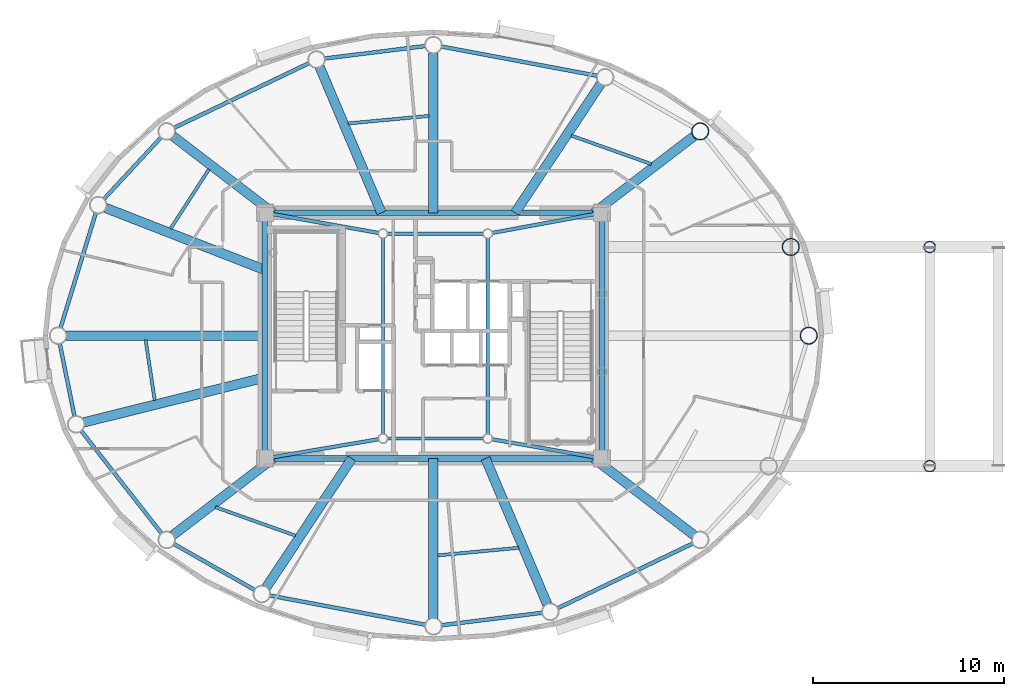
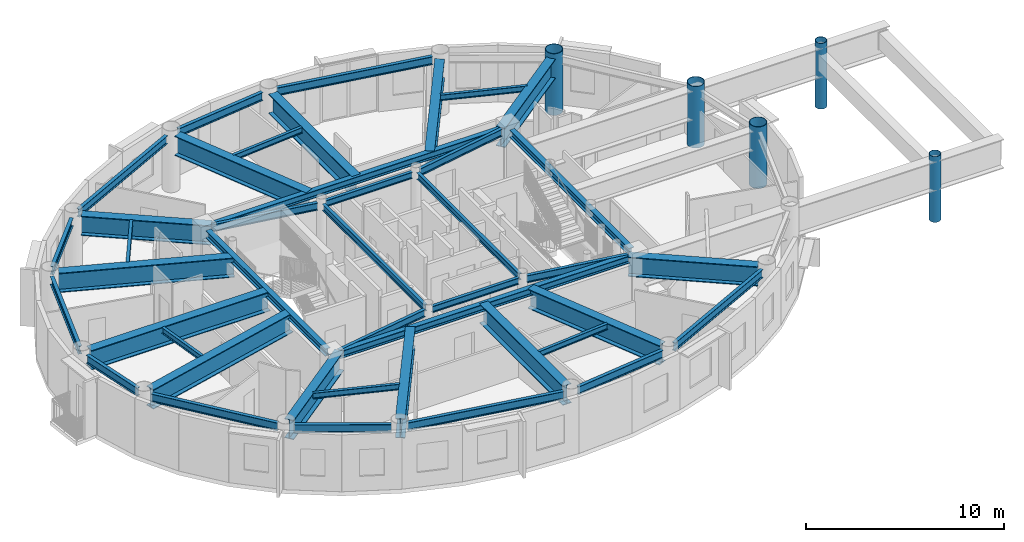
# One storey, part 2 of 16: 42 beams, 5 columns.
"""IFC4 building model written with IfcOpenShell, lengths in metres."""

import ifcopenshell
import ifcopenshell.guid

model = None  # the IFC model being written
_history = None  # IfcOwnerHistory: only IFC2X3 demands one
_inside = {}  # id of a spatial element -> (the spatial element, [elements in it])
_under = {}  # id of a project, library or spatial element -> (it, [spatial elements below it])
_declared = {}  # id of a project -> (the project, [libraries it declares])
_typed = {}  # id of a type object -> (the type object, [elements of that type])
_made_of = {}  # id of a material, layer set ... -> (it, [elements and type objects made of it])


def new_model(schema):
    """Start an empty IFC model of exactly this schema.

    Asked for "IFC4X3", IfcOpenShell would pick the latest addendum, in which some entities
    have other attributes; the version numbers below select the first issue.
    IFC2X3 requires an IfcOwnerHistory on every rooted entity: one is made here for all.
    """
    global model, _history
    if schema == "IFC4X3":
        model = ifcopenshell.file(schema_version=(4, 3, 0, 0))
    else:
        model = ifcopenshell.file(schema=schema)
    _inside.clear()
    _under.clear()
    _declared.clear()
    _typed.clear()
    _made_of.clear()
    _history = None
    if model.schema == "IFC2X3":
        org = make("IfcOrganization", Name="unknown")
        user = make(
            "IfcPersonAndOrganization",
            ThePerson=make("IfcPerson", FamilyName="unknown"),
            TheOrganization=org,
        )
        app = make(
            "IfcApplication",
            ApplicationDeveloper=org,
            Version="unknown",
            ApplicationFullName="unknown",
            ApplicationIdentifier="unknown",
        )
        _history = make(
            "IfcOwnerHistory",
            OwningUser=user,
            OwningApplication=app,
            ChangeAction="ADDED",
            CreationDate=0,
        )
    return model


def make(cls, **values):
    """One entity of the class cls with the attributes given. An attribute that is None is left unset."""
    return model.create_entity(
        cls, **{name: value for name, value in values.items() if value is not None}
    )


def rooted(cls, **values):
    """An entity with a GlobalId (a new one), such as an element, a storey or a relation."""
    return make(cls, GlobalId=ifcopenshell.guid.new(), OwnerHistory=_history, **values)


def si_unit(unit_type, name, prefix=None):
    """IfcSIUnit, for example si_unit("LENGTHUNIT", "METRE", prefix="MILLI")."""
    return make("IfcSIUnit", UnitType=unit_type, Prefix=prefix, Name=name)


def assignment(units):
    """IfcUnitAssignment: the units of a project."""
    return None if units is None else make("IfcUnitAssignment", Units=units)


def point(xyz):
    """IfcCartesianPoint."""
    return None if xyz is None else make("IfcCartesianPoint", Coordinates=xyz)


def direction(xyz):
    """IfcDirection."""
    return None if xyz is None else make("IfcDirection", DirectionRatios=xyz)


def frame(location, z_axis=None, x_axis=None):
    """IfcAxis2Placement3D, a coordinate frame: its origin and axes. An axis left out is left unset."""
    return make(
        "IfcAxis2Placement3D",
        Location=point(location),
        Axis=direction(z_axis),
        RefDirection=direction(x_axis),
    )


def frame_2d(location, x_axis=None):
    """IfcAxis2Placement2D, a coordinate frame in the plane: its origin and x axis."""
    return make(
        "IfcAxis2Placement2D", Location=point(location), RefDirection=direction(x_axis)
    )


def origin():
    """The frame at (0, 0, 0) with its axes left unset."""
    return frame((0.0, 0.0, 0.0))


def origin_2d():
    """The frame at (0, 0) in the plane with its x axis left unset."""
    return frame_2d((0.0, 0.0))


def place(relative_to, where):
    """IfcLocalPlacement: puts the frame where relative to a parent placement (None: the world)."""
    return make(
        "IfcLocalPlacement", PlacementRelTo=relative_to, RelativePlacement=where
    )


def context(
    kind, dimensions, precision=None, world=None, true_north=None, identifier=None
):
    """IfcGeometricRepresentationContext, for example the 3D "Model" context."""
    return make(
        "IfcGeometricRepresentationContext",
        ContextIdentifier=identifier,
        ContextType=kind,
        CoordinateSpaceDimension=dimensions,
        Precision=precision,
        WorldCoordinateSystem=world,
        TrueNorth=true_north,
    )


def subcontext(parent, identifier, kind, view, scale=None):
    """IfcGeometricRepresentationSubContext, for example "Body" below "Model"."""
    return make(
        "IfcGeometricRepresentationSubContext",
        ContextIdentifier=identifier,
        ContextType=kind,
        ParentContext=parent,
        TargetScale=scale,
        TargetView=view,
    )


def project(units=None, contexts=None):
    """IfcProject with its units and contexts."""
    return rooted(
        "IfcProject",
        Name="project",
        RepresentationContexts=contexts,
        UnitsInContext=assignment(units),
    )


def spatial(cls, under=None, at=None, **own):
    """A site, building, storey or space (cls), placed at a placement, below another one or the project."""
    s = rooted(cls, ObjectPlacement=at, **own)
    if under is not None:
        _under.setdefault(under.id(), (under, []))[1].append(s)
    return s


def profile(cls, at=None, kind="AREA", **sizes):
    """A parametric profile (cls). Its sizes go by their IFC names, for example OverallWidth=200.0."""
    return make(cls, ProfileType=kind, Position=at, **sizes)


def hollow_circle(**sizes):
    """IfcCircleHollowProfileDef."""
    return profile("IfcCircleHollowProfileDef", **sizes)


def i_section(**sizes):
    """IfcIShapeProfileDef."""
    return profile("IfcIShapeProfileDef", **sizes)


def extrude(swept, where, along, depth):
    """IfcExtrudedAreaSolid: the profile swept, set in the frame where, extruded along a direction by depth."""
    return make(
        "IfcExtrudedAreaSolid",
        SweptArea=swept,
        Position=where,
        ExtrudedDirection=direction(along),
        Depth=depth,
    )


def shape(context_of_items, identifier, shape_type, items):
    """IfcShapeRepresentation: the items that make up one representation, for example the "Body"."""
    return make(
        "IfcShapeRepresentation",
        ContextOfItems=context_of_items,
        RepresentationIdentifier=identifier,
        RepresentationType=shape_type,
        Items=items,
    )


def material(Name=None, Category=None):
    """IfcMaterial."""
    return make("IfcMaterial", Name=Name, Category=Category)


def material_profile(
    of_material, cross_section, Name=None, Category=None, Priority=None
):
    """IfcMaterialProfile: a cross section and its material."""
    return make(
        "IfcMaterialProfile",
        Name=Name,
        Material=of_material,
        Profile=cross_section,
        Priority=Priority,
        Category=Category,
    )


def profile_set(profiles, Name=None, composite=None):
    """IfcMaterialProfileSet."""
    return make(
        "IfcMaterialProfileSet",
        Name=Name,
        MaterialProfiles=profiles,
        CompositeProfile=composite,
    )


def made_of(thing, what):
    """Note that an element or type object is made of a material, layer set ...; save() writes the relation."""
    if what is not None:
        _made_of.setdefault(what.id(), (what, []))[1].append(thing)
    return thing


def type_object(cls, material=None, **own):
    """A type object (cls), such as IfcWallType, which elements share."""
    return made_of(rooted(cls, **own), material)


def element(
    cls,
    number,
    at=None,
    inside=None,
    cuts=None,
    type_object=None,
    material=None,
    context=None,
    identifier="Body",
    shape_type=None,
    held_by="IfcProductDefinitionShape",
    body=None,
    shapes=None,
    **own,
):
    """One element of the class cls, such as IfcWall. Its Tag is "e" and its number.

    at: its placement. inside: the storey or other place that contains it. cuts: it is an
    opening in that element (IfcRelVoidsElement). A single representation is given by context,
    identifier, shape_type and body (its items); several are given by shapes. held_by: the class
    of the entity that holds the representations. save() writes the other relations.
    """
    e = rooted(cls, Tag="e%d" % number, ObjectPlacement=at, **own)
    if body is not None:
        shapes = [shape(context, identifier, shape_type, body)]
    if shapes is not None:
        e.Representation = make(held_by, Representations=shapes)
    if inside is not None:
        _inside.setdefault(inside.id(), (inside, []))[1].append(e)
    if cuts is not None:
        rooted(
            "IfcRelVoidsElement", RelatingBuildingElement=cuts, RelatedOpeningElement=e
        )
    if type_object is not None:
        _typed.setdefault(type_object.id(), (type_object, []))[1].append(e)
    return made_of(e, material)


def aggregate(whole, parts):
    """IfcRelAggregates: a whole, such as a stair, and the parts it consists of."""
    return rooted("IfcRelAggregates", RelatingObject=whole, RelatedObjects=parts)


def save(model, path):
    """Write the relations noted so far, then the file.

    IfcRelAggregates (storeys below a building ...), IfcRelContainedInSpatialStructure (elements
    in a storey), IfcRelDefinesByType, IfcRelAssociatesMaterial and IfcRelDeclares: one each for
    every whole, place, type object, material and project.
    """
    for whole, parts in _under.values():
        aggregate(whole, parts)
    for where, things in _inside.values():
        rooted(
            "IfcRelContainedInSpatialStructure",
            RelatedElements=things,
            RelatingStructure=where,
        )
    for kind, things in _typed.values():
        rooted("IfcRelDefinesByType", RelatedObjects=things, RelatingType=kind)
    for what, things in _made_of.values():
        rooted("IfcRelAssociatesMaterial", RelatedObjects=things, RelatingMaterial=what)
    for by, libraries in _declared.values():
        rooted("IfcRelDeclares", RelatingContext=by, RelatedDefinitions=libraries)
    model.write(path)


model = new_model("IFC4")

# Units and contexts
model_context = context("Model", 3, precision=1e-05, world=origin(), true_north=direction((0.0, 1.0)))
body_context = subcontext(model_context, "Body", "Model", "MODEL_VIEW")
ifc_project = project(units=[si_unit("LENGTHUNIT", "METRE"), si_unit("AREAUNIT", "SQUARE_METRE"), si_unit("VOLUMEUNIT", "CUBIC_METRE"), si_unit("PLANEANGLEUNIT", "RADIAN"), si_unit("MASSUNIT", "GRAM", prefix="KILO")], contexts=[model_context])

# Site, building, storey
site_placement = place(None, origin())
site = spatial("IfcSite", under=ifc_project, at=site_placement, CompositionType="ELEMENT")
building_placement = place(site_placement, origin())
building = spatial("IfcBuilding", under=site, at=building_placement, Name="Linh Dai School and Residence Tower", CompositionType="ELEMENT")
storey_placement = place(building_placement, frame((0.0, 0.0, 343.0)))
storey = spatial("IfcBuildingStorey", under=building, at=storey_placement, Name="L85", CompositionType="ELEMENT", Elevation=343.0)

# Columns
ifc_material = material(Name="Structural Steel S355JR", Category="steel")
ifc_material_profile_1 = material_profile(ifc_material, hollow_circle(Radius=0.449951171875, WallThickness=0.028076171875, at=origin_2d()), Name="CHS 900x28")
ifc_profile_set_1 = profile_set([ifc_material_profile_1], Name="Structural Steel S355JR")
column_type_1 = type_object("IfcColumnType", Name="COL-MC7", PredefinedType="COLUMN", material=ifc_profile_set_1)
for number, where, z_axis, x_axis, name in (
    (1, (55.699951171875, 27.0, 0.0), (0.0, 0.0, 1.0), (1.0, 0.0, 0.0), "L85 Perimeter CFT Mega-Column MC01"),
    (2, (54.7578125, 31.65478515625, 0.0), (0.0, 0.0, 1.0), (1.0, 0.0, 0.0), "L85 Perimeter CFT Mega-Column MC02"),
    (3, (50.00244140625, 37.72265625, 0.0), (0.0, 0.0, 1.0), (1.0, 0.0, 0.0), "L85 Perimeter CFT Mega-Column MC03"),
):
    element("IfcColumn", number, at=place(storey_placement, frame(where, z_axis=z_axis, x_axis=x_axis)), inside=storey, type_object=column_type_1, Name=name, PredefinedType="COLUMN", context=body_context, shape_type="SweptSolid", body=[
        extrude(hollow_circle(Radius=0.449951171875, WallThickness=0.028076171875, at=origin_2d()), origin(), (0.0, 0.0, 1.0), 3.800048828125),
    ])
ifc_material_profile_2 = material_profile(ifc_material, hollow_circle(Radius=0.304931640625, WallThickness=0.02490234375, at=origin_2d()), Name="CHS 610x25")
ifc_profile_set_2 = profile_set([ifc_material_profile_2], Name="Structural Steel S355JR")
column_type_2 = type_object("IfcColumnType", Name="COL-SLC", PredefinedType="COLUMN", material=ifc_profile_set_2)
for number, where, z_axis, x_axis, name in (
    (4, (62.050048828125, 20.1474609375, -0.25), (0.0, 0.0, 1.0), (1.0, 0.0, 0.0), "L85 Sky-Lounge Strut-Head Post S"),
    (5, (62.050048828125, 31.65478515625, -0.25), (0.0, 0.0, 1.0), (1.0, 0.0, 0.0), "L85 Sky-Lounge Strut-Head Post N"),
):
    element("IfcColumn", number, at=place(storey_placement, frame(where, z_axis=z_axis, x_axis=x_axis)), inside=storey, type_object=column_type_2, Name=name, PredefinedType="COLUMN", context=body_context, shape_type="SweptSolid", body=[
        extrude(hollow_circle(Radius=0.304931640625, WallThickness=0.02490234375, at=origin_2d()), origin(), (0.0, 0.0, 1.0), 4.050048828125),
    ])

# Beams
ifc_material_profile_3 = material_profile(ifc_material, i_section(OverallWidth=0.199951171875, OverallDepth=0.5, WebThickness=0.01025390625, FlangeThickness=0.01611328125, FilletRadius=0.02099609375, at=origin_2d()), Name="IPE 500")
ifc_profile_set_3 = profile_set([ifc_material_profile_3], Name="Structural Steel S355JR")
beam_type_1 = type_object("IfcBeamType", Name="BM-RB50", PredefinedType="BEAM", material=ifc_profile_set_3)
beam_1_placement = place(storey_placement, frame((44.597412109375, 40.6396484375, 3.25), z_axis=(-0.98280175603, 0.184663771066, 0.0), x_axis=(-0.184663771066, -0.98280175603, 0.0)))
element("IfcBeam", 6, at=beam_1_placement, inside=storey, type_object=beam_type_1, Name="L85 Perimeter Elliptical Ring Beam 04", PredefinedType="BEAM", context=body_context, shape_type="SweptSolid", body=[
    extrude(i_section(OverallWidth=0.199951171875, OverallDepth=0.5, WebThickness=0.01025390625, FlangeThickness=0.01611328125, FilletRadius=0.02099609375, at=origin_2d()), origin(), (0.0, 0.0, 1.0), 8.327880859375),
])
beam_2_placement = place(storey_placement, frame((35.583251953125, 42.203369140625, 3.25), z_axis=(-0.992398979221, -0.123062041428, 0.0), x_axis=(0.123062041428, -0.992398979221, 0.0)))
element("IfcBeam", 7, at=beam_2_placement, inside=storey, type_object=beam_type_1, Name="L85 Perimeter Elliptical Ring Beam 05", PredefinedType="BEAM", context=body_context, shape_type="SweptSolid", body=[
    extrude(i_section(OverallWidth=0.199951171875, OverallDepth=0.5, WebThickness=0.01025390625, FlangeThickness=0.01611328125, FilletRadius=0.02099609375, at=origin_2d()), origin(), (0.0, 0.0, 1.0), 5.344482421875),
])
beam_3_placement = place(storey_placement, frame((29.483642578125, 41.312255859375, 3.25), z_axis=(-0.901701330417, -0.432359469335, 0.0), x_axis=(0.432359469335, -0.901701330417, 0.0)))
element("IfcBeam", 8, at=beam_3_placement, inside=storey, type_object=beam_type_1, Name="L85 Perimeter Elliptical Ring Beam 06", PredefinedType="BEAM", context=body_context, shape_type="SweptSolid", body=[
    extrude(i_section(OverallWidth=0.199951171875, OverallDepth=0.5, WebThickness=0.01025390625, FlangeThickness=0.01611328125, FilletRadius=0.02099609375, at=origin_2d()), origin(), (0.0, 0.0, 1.0), 7.88232421875),
])
beam_4_placement = place(storey_placement, frame((21.7119140625, 37.4150390625, 3.25), z_axis=(-0.680339330162, -0.732897261446, 0.0), x_axis=(0.732897261446, -0.680339330162, 0.0)))
element("IfcBeam", 9, at=beam_4_placement, inside=storey, type_object=beam_type_1, Name="L85 Perimeter Elliptical Ring Beam 07", PredefinedType="BEAM", context=body_context, shape_type="SweptSolid", body=[
    extrude(i_section(OverallWidth=0.199951171875, OverallDepth=0.5, WebThickness=0.01025390625, FlangeThickness=0.01611328125, FilletRadius=0.02099609375, at=origin_2d()), origin(), (0.0, 0.0, 1.0), 4.440673828125),
])
beam_5_placement = place(storey_placement, frame((18.281494140625, 33.451171875, 3.25), z_axis=(-0.293606003102, -0.955926521728, 0.0), x_axis=(0.955926521728, -0.293606003102, 0.0)))
element("IfcBeam", 10, at=beam_5_placement, inside=storey, type_object=beam_type_1, Name="L85 Perimeter Elliptical Ring Beam 08", PredefinedType="BEAM", context=body_context, shape_type="SweptSolid", body=[
    extrude(i_section(OverallWidth=0.199951171875, OverallDepth=0.5, WebThickness=0.01025390625, FlangeThickness=0.01611328125, FilletRadius=0.02099609375, at=origin_2d()), origin(), (0.0, 0.0, 1.0), 6.32861328125),
])
beam_6_placement = place(storey_placement, frame((16.38330078125, 26.58837890625, 3.25), z_axis=(0.198409502721, -0.980119211744, 0.0), x_axis=(0.980119211744, 0.198409502721, 0.0)))
element("IfcBeam", 11, at=beam_6_placement, inside=storey, type_object=beam_type_1, Name="L85 Perimeter Elliptical Ring Beam 09", PredefinedType="BEAM", context=body_context, shape_type="SweptSolid", body=[
    extrude(i_section(OverallWidth=0.199951171875, OverallDepth=0.5, WebThickness=0.01025390625, FlangeThickness=0.01611328125, FilletRadius=0.02099609375, at=origin_2d()), origin(), (0.0, 0.0, 1.0), 3.9091796875),
])
beam_7_placement = place(storey_placement, frame((17.501220703125, 22.0146484375, 3.25), z_axis=(0.616844770958, -0.787084829318, 0.0), x_axis=(0.787084829318, 0.616844770958, 0.0)))
element("IfcBeam", 12, at=beam_7_placement, inside=storey, type_object=beam_type_1, Name="L85 Perimeter Elliptical Ring Beam 10", PredefinedType="BEAM", context=body_context, shape_type="SweptSolid", body=[
    extrude(i_section(OverallWidth=0.199951171875, OverallDepth=0.5, WebThickness=0.01025390625, FlangeThickness=0.01611328125, FilletRadius=0.02099609375, at=origin_2d()), origin(), (0.0, 0.0, 1.0), 6.869384765625),
])
beam_8_placement = place(storey_placement, frame((22.362548828125, 16.069580078125, 3.25), z_axis=(0.86923725405, -0.494395182189, 0.0), x_axis=(0.494395182189, 0.86923725405, 0.0)))
element("IfcBeam", 13, at=beam_8_placement, inside=storey, type_object=beam_type_1, Name="L85 Perimeter Elliptical Ring Beam 11", PredefinedType="BEAM", context=body_context, shape_type="SweptSolid", body=[
    extrude(i_section(OverallWidth=0.199951171875, OverallDepth=0.5, WebThickness=0.01025390625, FlangeThickness=0.01611328125, FilletRadius=0.02099609375, at=origin_2d()), origin(), (0.0, 0.0, 1.0), 4.903076171875),
])
beam_9_placement = place(storey_placement, frame((27.402587890625, 13.3603515625, 3.25), z_axis=(0.98280175603, -0.184663771066, 0.0), x_axis=(0.184663771066, 0.98280175603, 0.0)))
element("IfcBeam", 14, at=beam_9_placement, inside=storey, type_object=beam_type_1, Name="L85 Perimeter Elliptical Ring Beam 12", PredefinedType="BEAM", context=body_context, shape_type="SweptSolid", body=[
    extrude(i_section(OverallWidth=0.199951171875, OverallDepth=0.5, WebThickness=0.01025390625, FlangeThickness=0.01611328125, FilletRadius=0.02099609375, at=origin_2d()), origin(), (0.0, 0.0, 1.0), 8.327880859375),
])
beam_10_placement = place(storey_placement, frame((36.416748046875, 11.796630859375, 3.25), z_axis=(0.992398979221, 0.123062041428, 0.0), x_axis=(-0.123062041428, 0.992398979221, 0.0)))
element("IfcBeam", 15, at=beam_10_placement, inside=storey, type_object=beam_type_1, Name="L85 Perimeter Elliptical Ring Beam 13", PredefinedType="BEAM", context=body_context, shape_type="SweptSolid", body=[
    extrude(i_section(OverallWidth=0.199951171875, OverallDepth=0.5, WebThickness=0.01025390625, FlangeThickness=0.01611328125, FilletRadius=0.02099609375, at=origin_2d()), origin(), (0.0, 0.0, 1.0), 5.344482421875),
])
beam_11_placement = place(storey_placement, frame((42.516357421875, 12.687744140625, 3.25), z_axis=(0.901701330417, 0.432359469335, 0.0), x_axis=(-0.432359469335, 0.901701330417, 0.0)))
element("IfcBeam", 16, at=beam_11_placement, inside=storey, type_object=beam_type_1, Name="L85 Perimeter Elliptical Ring Beam 14", PredefinedType="BEAM", context=body_context, shape_type="SweptSolid", body=[
    extrude(i_section(OverallWidth=0.199951171875, OverallDepth=0.5, WebThickness=0.01025390625, FlangeThickness=0.01611328125, FilletRadius=0.02099609375, at=origin_2d()), origin(), (0.0, 0.0, 1.0), 7.88232421875),
])
ifc_material_profile_4 = material_profile(ifc_material, i_section(OverallWidth=0.300048828125, OverallDepth=0.449951171875, WebThickness=0.013916015625, FlangeThickness=0.02587890625, FilletRadius=0.027099609375, at=origin_2d()), Name="HEB 450")
ifc_profile_set_4 = profile_set([ifc_material_profile_4], Name="Structural Steel S355JR")
beam_type_2 = type_object("IfcBeamType", Name="BM-RG45", PredefinedType="BEAM", material=ifc_profile_set_4)
beam_12_placement = place(storey_placement, frame((27.570068359375, 20.550048828125, 3.27490234375), z_axis=(1.0, 0.0, 0.0), x_axis=(0.0, 1.0, 0.0)))
element("IfcBeam", 17, at=beam_12_placement, inside=storey, type_object=beam_type_2, Name="L85 Core Perimeter Coupling Girder 1", PredefinedType="BEAM", context=body_context, shape_type="SweptSolid", body=[
    extrude(i_section(OverallWidth=0.300048828125, OverallDepth=0.449951171875, WebThickness=0.013916015625, FlangeThickness=0.02587890625, FilletRadius=0.027099609375, at=origin_2d()), origin(), (0.0, 0.0, 1.0), 16.85986328125),
])
beam_13_placement = place(storey_placement, frame((44.85009765625, 20.969970703125, 3.27490234375), z_axis=(0.0, 1.0, 0.0), x_axis=(-1.0, 0.0, 0.0)))
element("IfcBeam", 18, at=beam_13_placement, inside=storey, type_object=beam_type_2, Name="L85 Core Perimeter Coupling Girder 2", PredefinedType="BEAM", context=body_context, shape_type="SweptSolid", body=[
    extrude(i_section(OverallWidth=0.300048828125, OverallDepth=0.449951171875, WebThickness=0.013916015625, FlangeThickness=0.02587890625, FilletRadius=0.027099609375, at=origin_2d()), origin(), (0.0, 0.0, 1.0), 12.06005859375),
])
beam_14_placement = place(storey_placement, frame((44.429931640625, 33.449951171875, 3.27490234375), z_axis=(-1.0, 0.0, 0.0), x_axis=(0.0, -1.0, 0.0)))
element("IfcBeam", 19, at=beam_14_placement, inside=storey, type_object=beam_type_2, Name="L85 Core Perimeter Coupling Girder 3", PredefinedType="BEAM", context=body_context, shape_type="SweptSolid", body=[
    extrude(i_section(OverallWidth=0.300048828125, OverallDepth=0.449951171875, WebThickness=0.013916015625, FlangeThickness=0.02587890625, FilletRadius=0.027099609375, at=origin_2d()), origin(), (0.0, 0.0, 1.0), 16.85986328125),
])
beam_15_placement = place(storey_placement, frame((27.14990234375, 33.030029296875, 3.27490234375), z_axis=(0.0, -1.0, 0.0), x_axis=(1.0, 0.0, 0.0)))
element("IfcBeam", 20, at=beam_15_placement, inside=storey, type_object=beam_type_2, Name="L85 Core Perimeter Coupling Girder 4", PredefinedType="BEAM", context=body_context, shape_type="SweptSolid", body=[
    extrude(i_section(OverallWidth=0.300048828125, OverallDepth=0.449951171875, WebThickness=0.013916015625, FlangeThickness=0.02587890625, FilletRadius=0.027099609375, at=origin_2d()), origin(), (0.0, 0.0, 1.0), 12.06005859375),
])
ifc_material_profile_5 = material_profile(ifc_material, i_section(OverallWidth=0.169921875, OverallDepth=0.360107421875, WebThickness=0.008056640625, FlangeThickness=0.0126953125, FilletRadius=0.01806640625, at=origin_2d()), Name="IPE 360")
ifc_profile_set_5 = profile_set([ifc_material_profile_5], Name="Structural Steel S355JR")
beam_type_3 = type_object("IfcBeamType", Name="BM-SB36", PredefinedType="BEAM", material=ifc_profile_set_5)
beam_16_placement = place(storey_placement, frame((47.442138671875, 36.005126953125, 3.320068359375), z_axis=(-0.942236588592, 0.334948072273, 0.0), x_axis=(-0.334948072273, -0.942236588592, 0.0)))
element("IfcBeam", 21, at=beam_16_placement, inside=storey, type_object=beam_type_3, Name="L85 Secondary Circumferential Floor Beam 02", PredefinedType="BEAM", context=body_context, shape_type="SweptSolid", body=[
    extrude(i_section(OverallWidth=0.169921875, OverallDepth=0.360107421875, WebThickness=0.008056640625, FlangeThickness=0.0126953125, FilletRadius=0.01806640625, at=origin_2d()), origin(), (0.0, 0.0, 1.0), 4.457275390625),
])
beam_17_placement = place(storey_placement, frame((35.77099609375, 38.535400390625, 3.320068359375), z_axis=(-0.995632232168, -0.093361974425, 0.0), x_axis=(0.093361974425, -0.995632232168, 0.0)))
element("IfcBeam", 22, at=beam_17_placement, inside=storey, type_object=beam_type_3, Name="L85 Secondary Circumferential Floor Beam 03", PredefinedType="BEAM", context=body_context, shape_type="SweptSolid", body=[
    extrude(i_section(OverallWidth=0.169921875, OverallDepth=0.360107421875, WebThickness=0.008056640625, FlangeThickness=0.0126953125, FilletRadius=0.01806640625, at=origin_2d()), origin(), (0.0, 0.0, 1.0), 4.267578125),
])
beam_18_placement = place(storey_placement, frame((24.21630859375, 35.73486328125, 3.320068359375), z_axis=(-0.542318554495, -0.840172949726, 0.0), x_axis=(0.840172949726, -0.542318554495, 0.0)))
element("IfcBeam", 23, at=beam_18_placement, inside=storey, type_object=beam_type_3, Name="L85 Secondary Circumferential Floor Beam 04", PredefinedType="BEAM", context=body_context, shape_type="SweptSolid", body=[
    extrude(i_section(OverallWidth=0.169921875, OverallDepth=0.360107421875, WebThickness=0.008056640625, FlangeThickness=0.0126953125, FilletRadius=0.01806640625, at=origin_2d()), origin(), (0.0, 0.0, 1.0), 3.713134765625),
])
beam_19_placement = place(storey_placement, frame((20.891357421875, 26.7724609375, 3.320068359375), z_axis=(0.149164107932, -0.988812453858, 0.0), x_axis=(0.988812453858, 0.149164107932, 0.0)))
element("IfcBeam", 24, at=beam_19_placement, inside=storey, type_object=beam_type_3, Name="L85 Secondary Circumferential Floor Beam 05", PredefinedType="BEAM", context=body_context, shape_type="SweptSolid", body=[
    extrude(i_section(OverallWidth=0.169921875, OverallDepth=0.360107421875, WebThickness=0.008056640625, FlangeThickness=0.0126953125, FilletRadius=0.01806640625, at=origin_2d()), origin(), (0.0, 0.0, 1.0), 3.203125),
])
beam_20_placement = place(storey_placement, frame((24.557861328125, 17.994873046875, 3.320068359375), z_axis=(0.942236588592, -0.334948072273, 0.0), x_axis=(0.334948072273, 0.942236588592, 0.0)))
element("IfcBeam", 25, at=beam_20_placement, inside=storey, type_object=beam_type_3, Name="L85 Secondary Circumferential Floor Beam 06", PredefinedType="BEAM", context=body_context, shape_type="SweptSolid", body=[
    extrude(i_section(OverallWidth=0.169921875, OverallDepth=0.360107421875, WebThickness=0.008056640625, FlangeThickness=0.0126953125, FilletRadius=0.01806640625, at=origin_2d()), origin(), (0.0, 0.0, 1.0), 4.457275390625),
])
beam_21_placement = place(storey_placement, frame((36.22900390625, 15.464599609375, 3.320068359375), z_axis=(0.995632232168, 0.093361974425, 0.0), x_axis=(-0.093361974425, 0.995632232168, 0.0)))
element("IfcBeam", 26, at=beam_21_placement, inside=storey, type_object=beam_type_3, Name="L85 Secondary Circumferential Floor Beam 07", PredefinedType="BEAM", context=body_context, shape_type="SweptSolid", body=[
    extrude(i_section(OverallWidth=0.169921875, OverallDepth=0.360107421875, WebThickness=0.008056640625, FlangeThickness=0.0126953125, FilletRadius=0.01806640625, at=origin_2d()), origin(), (0.0, 0.0, 1.0), 4.267578125),
])
ifc_material_profile_6 = material_profile(ifc_material, i_section(OverallWidth=0.179931640625, OverallDepth=0.39990234375, WebThickness=0.008544921875, FlangeThickness=0.013427734375, FilletRadius=0.02099609375, at=origin_2d()), Name="IPE 400")
ifc_profile_set_6 = profile_set([ifc_material_profile_6], Name="Structural Steel S355JR")
beam_type_4 = type_object("IfcBeamType", Name="BM-SB40", PredefinedType="BEAM", material=ifc_profile_set_6)
beam_22_placement = place(storey_placement, frame((33.573974609375, 21.60009765625, 3.300048828125), z_axis=(1.0, 0.0, 0.0), x_axis=(0.0, 1.0, 0.0)))
element("IfcBeam", 27, at=beam_22_placement, inside=storey, type_object=beam_type_4, Name="L85 Core Mast Pier Tie Beam 1", PredefinedType="BEAM", context=body_context, shape_type="SweptSolid", body=[
    extrude(i_section(OverallWidth=0.179931640625, OverallDepth=0.39990234375, WebThickness=0.008544921875, FlangeThickness=0.013427734375, FilletRadius=0.02099609375, at=origin_2d()), origin(), (0.0, 0.0, 1.0), 5.052001953125),
])
beam_23_placement = place(storey_placement, frame((38.85009765625, 21.823974609375, 3.300048828125), z_axis=(0.0, 1.0, 0.0), x_axis=(-1.0, 0.0, 0.0)))
element("IfcBeam", 28, at=beam_23_placement, inside=storey, type_object=beam_type_4, Name="L85 Core Mast Pier Tie Beam 2", PredefinedType="BEAM", context=body_context, shape_type="SweptSolid", body=[
    extrude(i_section(OverallWidth=0.179931640625, OverallDepth=0.39990234375, WebThickness=0.008544921875, FlangeThickness=0.013427734375, FilletRadius=0.02099609375, at=origin_2d()), origin(), (0.0, 0.0, 1.0), 10.302001953125),
])
beam_24_placement = place(storey_placement, frame((38.6259765625, 32.35009765625, 3.300048828125), z_axis=(-1.0, 0.0, 0.0), x_axis=(0.0, -1.0, 0.0)))
element("IfcBeam", 29, at=beam_24_placement, inside=storey, type_object=beam_type_4, Name="L85 Core Mast Pier Tie Beam 3", PredefinedType="BEAM", context=body_context, shape_type="SweptSolid", body=[
    extrude(i_section(OverallWidth=0.179931640625, OverallDepth=0.39990234375, WebThickness=0.008544921875, FlangeThickness=0.013427734375, FilletRadius=0.02099609375, at=origin_2d()), origin(), (0.0, 0.0, 1.0), 5.052001953125),
])
beam_25_placement = place(storey_placement, frame((33.35009765625, 32.1259765625, 3.300048828125), z_axis=(0.0, -1.0, 0.0), x_axis=(1.0, 0.0, 0.0)))
element("IfcBeam", 30, at=beam_25_placement, inside=storey, type_object=beam_type_4, Name="L85 Core Mast Pier Tie Beam 4", PredefinedType="BEAM", context=body_context, shape_type="SweptSolid", body=[
    extrude(i_section(OverallWidth=0.179931640625, OverallDepth=0.39990234375, WebThickness=0.008544921875, FlangeThickness=0.013427734375, FilletRadius=0.02099609375, at=origin_2d()), origin(), (0.0, 0.0, 1.0), 10.302001953125),
])
ifc_material_profile_7 = material_profile(ifc_material, i_section(OverallWidth=0.18994140625, OverallDepth=0.449951171875, WebThickness=0.009521484375, FlangeThickness=0.0146484375, FilletRadius=0.02099609375, at=origin_2d()), Name="IPE 450")
ifc_profile_set_7 = profile_set([ifc_material_profile_7], Name="Structural Steel S355JR")
beam_type_5 = type_object("IfcBeamType", Name="BM-SB45", PredefinedType="BEAM", material=ifc_profile_set_7)
beam_26_placement = place(storey_placement, frame((27.564208984375, 20.6201171875, 3.27490234375), z_axis=(0.98596270559, 0.166965694638, 0.0), x_axis=(-0.166965694638, 0.98596270559, 0.0)))
element("IfcBeam", 31, at=beam_26_placement, inside=storey, type_object=beam_type_5, Name="L85 Core Corner-to-Mast Pier Beam 1", PredefinedType="BEAM", context=body_context, shape_type="SweptSolid", body=[
    extrude(i_section(OverallWidth=0.18994140625, OverallDepth=0.449951171875, WebThickness=0.009521484375, FlangeThickness=0.0146484375, FilletRadius=0.02099609375, at=origin_2d()), origin(), (0.0, 0.0, 1.0), 5.644287109375),
])
beam_27_placement = place(storey_placement, frame((44.436279296875, 20.622314453125, 3.27490234375), z_axis=(-0.985031608673, 0.17237380867, 0.0), x_axis=(-0.17237380867, -0.985031608673, 0.0)))
element("IfcBeam", 32, at=beam_27_placement, inside=storey, type_object=beam_type_5, Name="L85 Core Corner-to-Mast Pier Beam 2", PredefinedType="BEAM", context=body_context, shape_type="SweptSolid", body=[
    extrude(i_section(OverallWidth=0.18994140625, OverallDepth=0.449951171875, WebThickness=0.009521484375, FlangeThickness=0.0146484375, FilletRadius=0.02099609375, at=origin_2d()), origin(), (0.0, 0.0, 1.0), 5.447265625),
])
beam_28_placement = place(storey_placement, frame((44.436767578125, 33.374267578125, 3.27490234375), z_axis=(-0.983605366802, -0.180334362777, 0.0), x_axis=(0.180334362777, -0.983605366802, 0.0)))
element("IfcBeam", 33, at=beam_28_placement, inside=storey, type_object=beam_type_5, Name="L85 Core Corner-to-Mast Pier Beam 3", PredefinedType="BEAM", context=body_context, shape_type="SweptSolid", body=[
    extrude(i_section(OverallWidth=0.18994140625, OverallDepth=0.449951171875, WebThickness=0.009521484375, FlangeThickness=0.0146484375, FilletRadius=0.02099609375, at=origin_2d()), origin(), (0.0, 0.0, 1.0), 5.455810546875),
])
beam_29_placement = place(storey_placement, frame((27.5634765625, 33.376708984375, 3.27490234375), z_axis=(0.984621828197, -0.174699328672, 0.0), x_axis=(0.174699328672, 0.984621828197, 0.0)))
element("IfcBeam", 34, at=beam_29_placement, inside=storey, type_object=beam_type_5, Name="L85 Core Corner-to-Mast Pier Beam 4", PredefinedType="BEAM", context=body_context, shape_type="SweptSolid", body=[
    extrude(i_section(OverallWidth=0.18994140625, OverallDepth=0.449951171875, WebThickness=0.009521484375, FlangeThickness=0.0146484375, FilletRadius=0.02099609375, at=origin_2d()), origin(), (0.0, 0.0, 1.0), 5.65283203125),
])
ifc_material_profile_8 = material_profile(ifc_material, i_section(OverallWidth=0.5, OverallDepth=1.199951171875, WebThickness=0.02392578125, FlangeThickness=0.044921875, at=origin_2d()), Name="PG 1200x500x24x45")
ifc_profile_set_8 = profile_set([ifc_material_profile_8], Name="Structural Steel S355JR")
beam_type_6 = type_object("IfcBeamType", Name="BM-TG12", PredefinedType="BEAM", material=ifc_profile_set_8)
beam_30_placement = place(storey_placement, frame((44.4228515625, 33.449951171875, 2.89990234375), z_axis=(0.793929753809, 0.608009495006, 0.0), x_axis=(-0.608009495006, 0.793929753809, 0.0)))
element("IfcBeam", 35, at=beam_30_placement, inside=storey, type_object=beam_type_6, Name="L85 Primary Radial Floor Girder 03", PredefinedType="BEAM", context=body_context, shape_type="SweptSolid", body=[
    extrude(i_section(OverallWidth=0.5, OverallDepth=1.199951171875, WebThickness=0.02392578125, FlangeThickness=0.044921875, at=origin_2d()), origin(), (0.0, 0.0, 1.0), 6.607666015625),
])
beam_31_placement = place(storey_placement, frame((40.28515625, 33.449951171875, 2.89990234375), z_axis=(0.553380967678, 0.832928270989, 0.0), x_axis=(-0.832928270989, 0.553380967678, 0.0)))
element("IfcBeam", 36, at=beam_31_placement, inside=storey, type_object=beam_type_6, Name="L85 Primary Radial Floor Girder 04", PredefinedType="BEAM", context=body_context, shape_type="SweptSolid", body=[
    extrude(i_section(OverallWidth=0.5, OverallDepth=1.199951171875, WebThickness=0.02392578125, FlangeThickness=0.044921875, at=origin_2d()), origin(), (0.0, 0.0, 1.0), 8.11865234375),
])
beam_32_placement = place(storey_placement, frame((36.0, 33.449951171875, 2.89990234375), z_axis=(0.0, 1.0, 0.0), x_axis=(-1.0, 0.0, 0.0)))
element("IfcBeam", 37, at=beam_32_placement, inside=storey, type_object=beam_type_6, Name="L85 Primary Radial Floor Girder 05", PredefinedType="BEAM", context=body_context, shape_type="SweptSolid", body=[
    extrude(i_section(OverallWidth=0.5, OverallDepth=1.199951171875, WebThickness=0.02392578125, FlangeThickness=0.044921875, at=origin_2d()), origin(), (0.0, 0.0, 1.0), 8.385009765625),
])
beam_33_placement = place(storey_placement, frame((33.268798828125, 33.449951171875, 2.89990234375), z_axis=(-0.389954119501, 0.920834287309, 0.0), x_axis=(-0.920834287309, -0.389954119501, 0.0)))
element("IfcBeam", 38, at=beam_33_placement, inside=storey, type_object=beam_type_6, Name="L85 Primary Radial Floor Girder 06", PredefinedType="BEAM", context=body_context, shape_type="SweptSolid", body=[
    extrude(i_section(OverallWidth=0.5, OverallDepth=1.199951171875, WebThickness=0.02392578125, FlangeThickness=0.044921875, at=origin_2d()), origin(), (0.0, 0.0, 1.0), 8.3154296875),
])
beam_34_placement = place(storey_placement, frame((27.5771484375, 33.449951171875, 2.89990234375), z_axis=(-0.793929753809, 0.608009495006, 0.0), x_axis=(-0.608009495006, -0.793929753809, 0.0)))
element("IfcBeam", 39, at=beam_34_placement, inside=storey, type_object=beam_type_6, Name="L85 Primary Radial Floor Girder 07", PredefinedType="BEAM", context=body_context, shape_type="SweptSolid", body=[
    extrude(i_section(OverallWidth=0.5, OverallDepth=1.199951171875, WebThickness=0.02392578125, FlangeThickness=0.044921875, at=origin_2d()), origin(), (0.0, 0.0, 1.0), 6.607666015625),
])
beam_35_placement = place(storey_placement, frame((27.14990234375, 30.44677734375, 2.89990234375), z_axis=(-0.931822607816, 0.362914077384, 0.0), x_axis=(-0.362914077384, -0.931822607816, 0.0)))
element("IfcBeam", 40, at=beam_35_placement, inside=storey, type_object=beam_type_6, Name="L85 Primary Radial Floor Girder 08", PredefinedType="BEAM", context=body_context, shape_type="SweptSolid", body=[
    extrude(i_section(OverallWidth=0.5, OverallDepth=1.199951171875, WebThickness=0.02392578125, FlangeThickness=0.044921875, at=origin_2d()), origin(), (0.0, 0.0, 1.0), 8.964599609375),
])
beam_36_placement = place(storey_placement, frame((27.14990234375, 27.0, 2.89990234375), z_axis=(-1.0, 0.0, 0.0), x_axis=(0.0, -1.0, 0.0)))
element("IfcBeam", 41, at=beam_36_placement, inside=storey, type_object=beam_type_6, Name="L85 Primary Radial Floor Girder 09", PredefinedType="BEAM", context=body_context, shape_type="SweptSolid", body=[
    extrude(i_section(OverallWidth=0.5, OverallDepth=1.199951171875, WebThickness=0.02392578125, FlangeThickness=0.044921875, at=origin_2d()), origin(), (0.0, 0.0, 1.0), 10.429931640625),
])
beam_37_placement = place(storey_placement, frame((27.14990234375, 24.803955078125, 2.89990234375), z_axis=(-0.970563583495, -0.24084503398, 0.0), x_axis=(0.24084503398, -0.970563583495, 0.0)))
element("IfcBeam", 42, at=beam_37_placement, inside=storey, type_object=beam_type_6, Name="L85 Primary Radial Floor Girder 10", PredefinedType="BEAM", context=body_context, shape_type="SweptSolid", body=[
    extrude(i_section(OverallWidth=0.5, OverallDepth=1.199951171875, WebThickness=0.02392578125, FlangeThickness=0.044921875, at=origin_2d()), origin(), (0.0, 0.0, 1.0), 9.7880859375),
])
beam_38_placement = place(storey_placement, frame((27.5771484375, 20.550048828125, 2.89990234375), z_axis=(-0.793929753809, -0.608009495006, 0.0), x_axis=(0.608009495006, -0.793929753809, 0.0)))
element("IfcBeam", 43, at=beam_38_placement, inside=storey, type_object=beam_type_6, Name="L85 Primary Radial Floor Girder 11", PredefinedType="BEAM", context=body_context, shape_type="SweptSolid", body=[
    extrude(i_section(OverallWidth=0.5, OverallDepth=1.199951171875, WebThickness=0.02392578125, FlangeThickness=0.044921875, at=origin_2d()), origin(), (0.0, 0.0, 1.0), 6.607666015625),
])
beam_39_placement = place(storey_placement, frame((31.71484375, 20.550048828125, 2.89990234375), z_axis=(-0.553380967678, -0.832928270989, 0.0), x_axis=(0.832928270989, -0.553380967678, 0.0)))
element("IfcBeam", 44, at=beam_39_placement, inside=storey, type_object=beam_type_6, Name="L85 Primary Radial Floor Girder 12", PredefinedType="BEAM", context=body_context, shape_type="SweptSolid", body=[
    extrude(i_section(OverallWidth=0.5, OverallDepth=1.199951171875, WebThickness=0.02392578125, FlangeThickness=0.044921875, at=origin_2d()), origin(), (0.0, 0.0, 1.0), 8.11865234375),
])
beam_40_placement = place(storey_placement, frame((36.0, 20.550048828125, 2.89990234375), z_axis=(0.0, -1.0, 0.0), x_axis=(1.0, 0.0, 0.0)))
element("IfcBeam", 45, at=beam_40_placement, inside=storey, type_object=beam_type_6, Name="L85 Primary Radial Floor Girder 13", PredefinedType="BEAM", context=body_context, shape_type="SweptSolid", body=[
    extrude(i_section(OverallWidth=0.5, OverallDepth=1.199951171875, WebThickness=0.02392578125, FlangeThickness=0.044921875, at=origin_2d()), origin(), (0.0, 0.0, 1.0), 8.385009765625),
])
beam_41_placement = place(storey_placement, frame((38.731201171875, 20.550048828125, 2.89990234375), z_axis=(0.389954119501, -0.920834287309, 0.0), x_axis=(0.920834287309, 0.389954119501, 0.0)))
element("IfcBeam", 46, at=beam_41_placement, inside=storey, type_object=beam_type_6, Name="L85 Primary Radial Floor Girder 14", PredefinedType="BEAM", context=body_context, shape_type="SweptSolid", body=[
    extrude(i_section(OverallWidth=0.5, OverallDepth=1.199951171875, WebThickness=0.02392578125, FlangeThickness=0.044921875, at=origin_2d()), origin(), (0.0, 0.0, 1.0), 8.3154296875),
])
beam_42_placement = place(storey_placement, frame((44.4228515625, 20.550048828125, 2.89990234375), z_axis=(0.793929753809, -0.608009495006, 0.0), x_axis=(0.608009495006, 0.793929753809, 0.0)))
element("IfcBeam", 47, at=beam_42_placement, inside=storey, type_object=beam_type_6, Name="L85 Primary Radial Floor Girder 15", PredefinedType="BEAM", context=body_context, shape_type="SweptSolid", body=[
    extrude(i_section(OverallWidth=0.5, OverallDepth=1.199951171875, WebThickness=0.02392578125, FlangeThickness=0.044921875, at=origin_2d()), origin(), (0.0, 0.0, 1.0), 6.607666015625),
])

save(model, "model.ifc")
